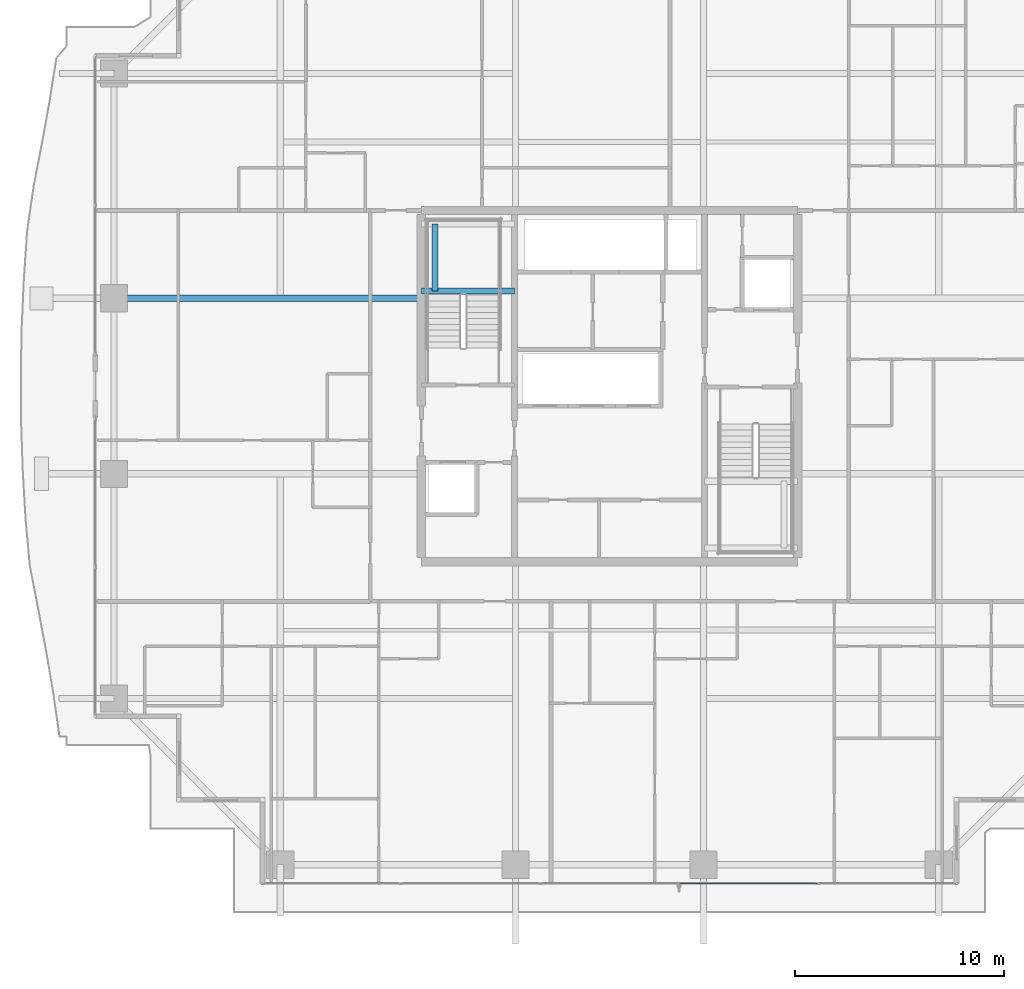
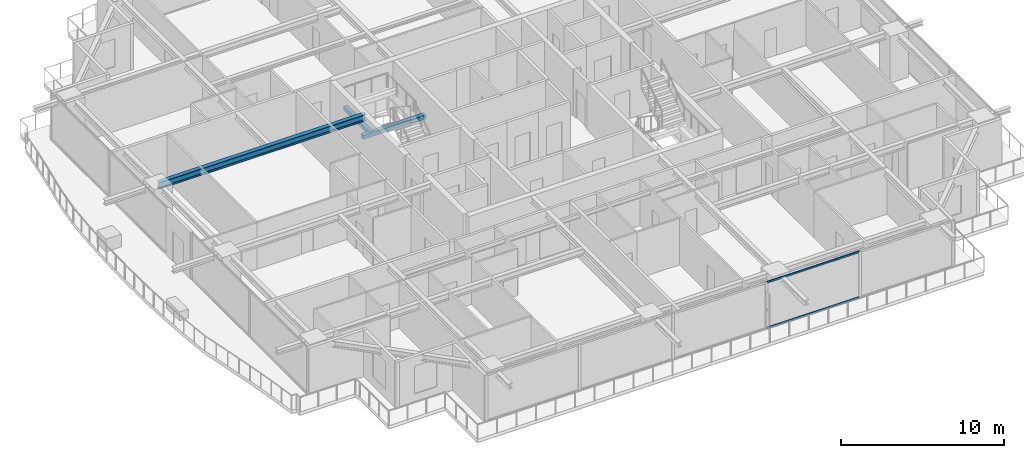
# One storey, part 11 of 39: 3 beams, 2 members, 1 element without a shape of its own.
"""IFC4 building model written with IfcOpenShell, lengths in metres."""

from ifc_helpers import new_model, si_unit, direction, frame, origin, origin_2d, place, context, subcontext, project, spatial, rectangle, hollow_rectangle, i_section, extrude, source, transform, mapped, material, layer, layer_set, material_profile, profile_set, type_object, element, aggregate, save


model = new_model("IFC4")

# Units and contexts
model_context = context("Model", 3, precision=1e-05, world=origin(), true_north=direction((0.0, 1.0)))
body_context = subcontext(model_context, "Body", "Model", "MODEL_VIEW")
ifc_project = project(units=[si_unit("LENGTHUNIT", "METRE"), si_unit("AREAUNIT", "SQUARE_METRE"), si_unit("VOLUMEUNIT", "CUBIC_METRE"), si_unit("PLANEANGLEUNIT", "RADIAN"), si_unit("MASSUNIT", "GRAM", prefix="KILO")], contexts=[model_context])

# Site, building, storey
site_placement = place(None, origin())
site = spatial("IfcSite", under=ifc_project, at=site_placement, CompositionType="ELEMENT")
building_placement = place(site_placement, origin())
building = spatial("IfcBuilding", under=site, at=building_placement, Name="Serunith Strait Residences", CompositionType="ELEMENT")
storey_placement = place(building_placement, frame((0.0, 0.0, 168.89990234375)))
storey = spatial("IfcBuildingStorey", under=building, at=storey_placement, Name="L42", CompositionType="ELEMENT", Elevation=168.89990234375)

# Beams
ifc_material_1 = material(Name="Steel S355J2", Category="steel")
ifc_material_profile_1 = material_profile(ifc_material_1, i_section(OverallWidth=0.300048828125, OverallDepth=0.5, WebThickness=0.014404296875, FlangeThickness=0.028076171875, FilletRadius=0.027099609375, at=origin_2d()), Name="HEB 500")
ifc_profile_set_1 = profile_set([ifc_material_profile_1], Name="Steel S355J2")
beam_type_1 = type_object("IfcBeamType", Name="BM-HEB500", PredefinedType="BEAM", material=ifc_profile_set_1)
shared_shape_1 = source(origin(), body_context, "Body", "SweptSolid", [
    extrude(i_section(OverallWidth=0.300048828125, OverallDepth=0.5, WebThickness=0.014404296875, FlangeThickness=0.028076171875, FilletRadius=0.027099609375, at=origin_2d()), origin(), (0.0, 0.0, 1.0), 14.699951171875),
])
beam_1_placement = place(storey_placement, frame((23.39990234375, 29.39990234375, 3.237060546875), z_axis=(-1.0, 0.0, 0.0), x_axis=(0.0, -1.0, 0.0)))
element("IfcBeam", 1, at=beam_1_placement, inside=storey, type_object=beam_type_1, Name="L42 Primary Floor Girder TC-W3", PredefinedType="BEAM", context=body_context, shape_type="MappedRepresentation", body=[
    mapped(shared_shape_1, transform((0.0, 0.0, 0.0), scale=1.0)),
])
ifc_material_2 = material(Name="Concrete C60/75", Category="concrete")
ifc_material_profile_2 = material_profile(ifc_material_2, rectangle(XDim=0.300048828125, YDim=0.300048828125, at=origin_2d()), Name="RC 300x300")
ifc_profile_set_2 = profile_set([ifc_material_profile_2], Name="Concrete C60/75")
beam_type_2 = type_object("IfcBeamType", Name="BM-LAND-300x300", PredefinedType="BEAM", material=ifc_profile_set_2)
shared_shape_2 = source(origin(), body_context, "Body", "SweptSolid", [
    extrude(rectangle(XDim=0.300048828125, YDim=0.300048828125, at=origin_2d()), origin(), (0.0, 0.0, 1.0), 4.4501953125),
])
beam_2_placement = place(storey_placement, frame((23.39990234375, 29.75, 1.525146484375), z_axis=(1.0, 0.0, 0.0), x_axis=(0.0, 1.0, 0.0)))
element("IfcBeam", 2, at=beam_2_placement, inside=storey, type_object=beam_type_2, Name="L42 ST-1 Landing Support Beam 1", PredefinedType="BEAM", context=body_context, shape_type="MappedRepresentation", body=[
    mapped(shared_shape_2, transform((0.0, 0.0, 0.0), scale=1.0)),
])
shared_shape_3 = source(origin(), body_context, "Body", "SweptSolid", [
    extrude(rectangle(XDim=0.300048828125, YDim=0.300048828125, at=origin_2d()), origin(), (0.0, 0.0, 1.0), 3.199951171875),
])
beam_3_placement = place(storey_placement, frame((24.050048828125, 29.75, 1.525146484375), z_axis=(0.0, 1.0, 0.0), x_axis=(-1.0, 0.0, 0.0)))
element("IfcBeam", 3, at=beam_3_placement, inside=storey, type_object=beam_type_2, Name="L42 ST-1 Landing Transverse Tie Beam", PredefinedType="BEAM", context=body_context, shape_type="MappedRepresentation", body=[
    mapped(shared_shape_3, transform((0.0, 0.0, 0.0), scale=1.0)),
])

# Curtain wall, members
ifc_material_3 = material(Name="Pale-Champagne Anodised Aluminium", Category="aluminium")
ifc_layer = layer(ifc_material_3, 0.199951171875, Name="Pale-Champagne Anodised Aluminium")
ifc_layer_set = layer_set([ifc_layer], Name="Pale-Champagne Anodised Aluminium")
curtain_wall_type = type_object("IfcCurtainWallType", Name="CW-SYS2", PredefinedType="NOTDEFINED", material=ifc_layer_set)
curtain_wall_placement = place(storey_placement, origin())
curtain_wall = element("IfcCurtainWall", 4, at=curtain_wall_placement, inside=storey, type_object=curtain_wall_type, Name="L42 S Unitised Fritted Curtain Wall", PredefinedType="NOTDEFINED")
ifc_material_profile_3 = material_profile(ifc_material_3, hollow_rectangle(XDim=0.06005859375, YDim=0.139892578125, WallThickness=0.00341796875, InnerFilletRadius=0.00537109375, OuterFilletRadius=0.0087890625, at=origin_2d()), Name="ALU 140x60x3.5")
ifc_profile_set_3 = profile_set([ifc_material_profile_3], Name="Pale-Champagne Anodised Aluminium")
member_type = type_object("IfcMemberType", Name="CW-SYS2-TRAN", PredefinedType="USERDEFINED", material=ifc_profile_set_3)
shared_shape_4 = source(origin(), body_context, "Body", "SweptSolid", [
    extrude(hollow_rectangle(XDim=0.06005859375, YDim=0.139892578125, WallThickness=0.00341796875, InnerFilletRadius=0.00537109375, OuterFilletRadius=0.0087890625, at=origin_2d()), origin(), (0.0, 0.0, 1.0), 6.570068359375),
])
member_1_placement = place(storey_placement, frame((35.7548828125, 1.39990234375, 0.030029296875), z_axis=(1.0, 0.0, 0.0), x_axis=(0.0, 1.0, 0.0)))
member_1 = element("IfcMember", 5, at=member_1_placement, type_object=member_type, Name="CW-2 transom 4.1", ObjectType="TRANSOM", PredefinedType="USERDEFINED", context=body_context, shape_type="MappedRepresentation", body=[
    mapped(shared_shape_4, transform((0.0, 0.0, 0.0), scale=1.0)),
])
member_2_placement = place(storey_placement, frame((35.7548828125, 1.39990234375, 3.445068359375), z_axis=(1.0, 0.0, 0.0), x_axis=(0.0, 1.0, 0.0)))
member_2 = element("IfcMember", 6, at=member_2_placement, type_object=member_type, Name="CW-2 transom 4.2", ObjectType="TRANSOM", PredefinedType="USERDEFINED", context=body_context, shape_type="MappedRepresentation", body=[
    mapped(shared_shape_4, transform((0.0, 0.0, 0.0), scale=1.0)),
])
aggregate(curtain_wall, [member_1, member_2])

save(model, "model.ifc")
